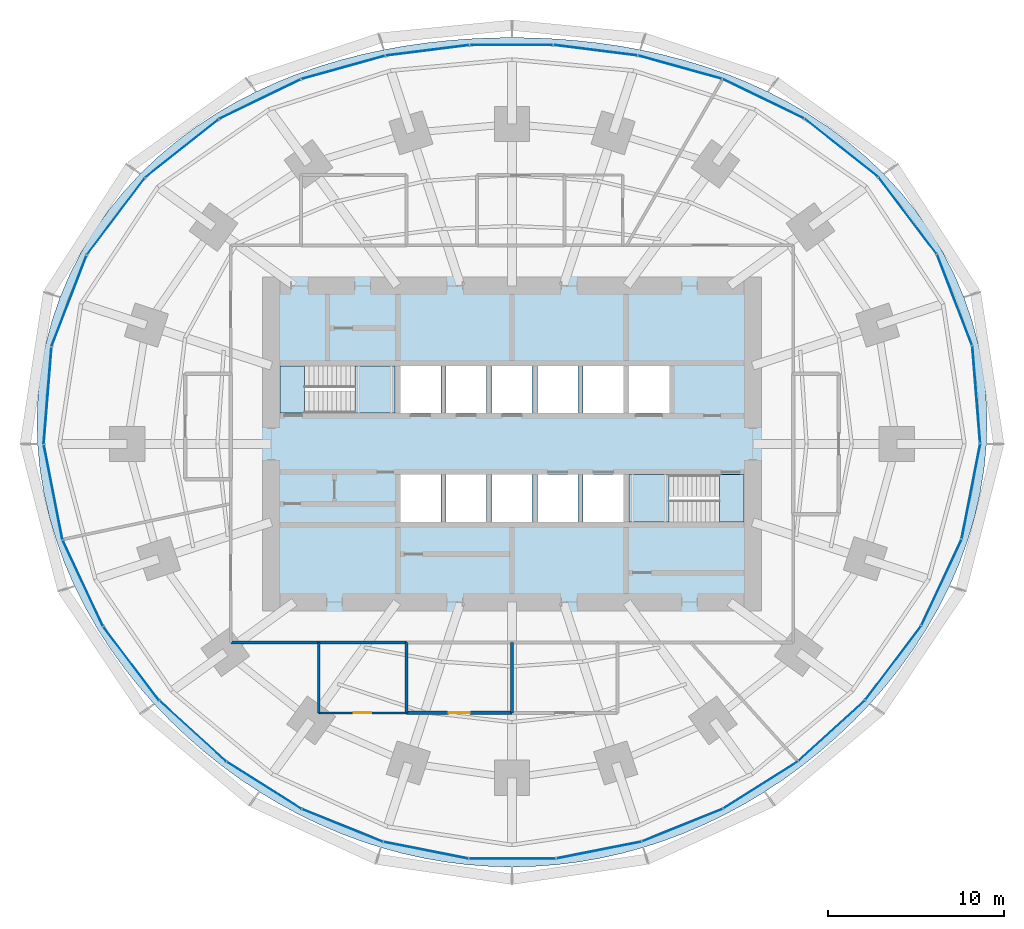
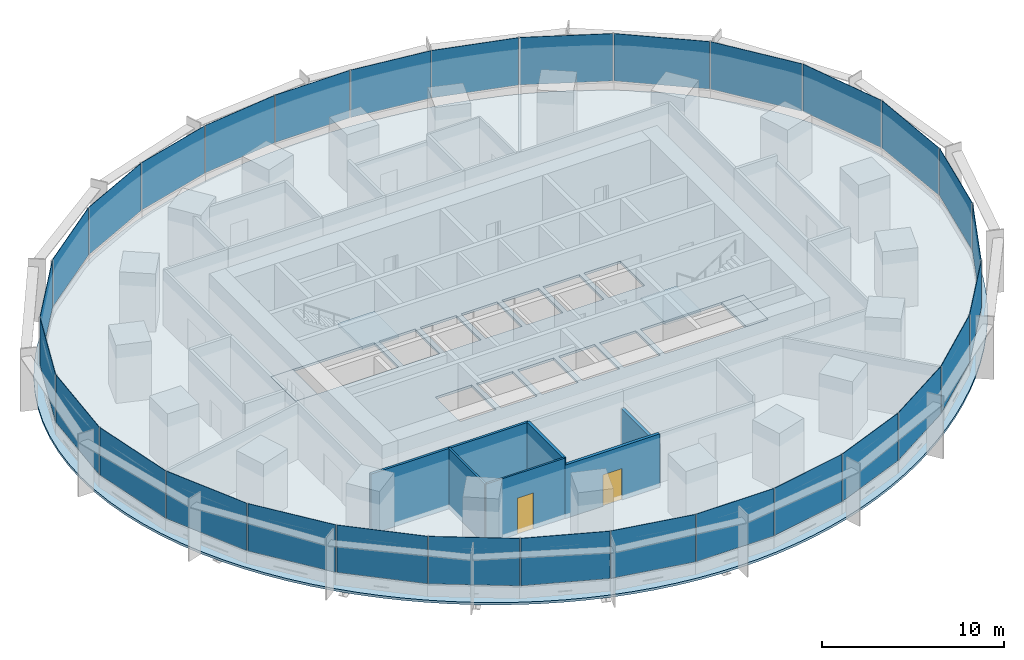
# One storey, part 10 of 15: 30 plates, 6 walls, 5 slabs, 2 doors, 2 openings, 8 elements without a shape of their own.
"""IFC4 building model written with IfcOpenShell, lengths in metres."""

from ifc_helpers import new_model, si_unit, direction, frame, frame_2d, origin, origin_2d, place, context, subcontext, project, spatial, polyline, rectangle, outline, extrude, material, layer, layer_set, type_object, element, fill, aggregate, save


model = new_model("IFC4")

# Units and contexts
model_context = context("Model", 3, precision=1e-05, world=origin(), true_north=direction((0.0, 1.0)))
body_context = subcontext(model_context, "Body", "Model", "MODEL_VIEW")
ifc_project = project(units=[si_unit("LENGTHUNIT", "METRE"), si_unit("AREAUNIT", "SQUARE_METRE"), si_unit("VOLUMEUNIT", "CUBIC_METRE"), si_unit("PLANEANGLEUNIT", "RADIAN"), si_unit("MASSUNIT", "GRAM", prefix="KILO")], contexts=[model_context])

# Site, building, storey
site_placement = place(None, origin())
site = spatial("IfcSite", under=ifc_project, at=site_placement, CompositionType="ELEMENT")
building_placement = place(site_placement, origin())
building = spatial("IfcBuilding", under=site, at=building_placement, Name="Marramba Exchange Tower", CompositionType="ELEMENT")
storey_placement = place(building_placement, frame((0.0, 0.0, 44.800048828125)))
storey = spatial("IfcBuildingStorey", under=building, at=storey_placement, Name="L10", CompositionType="ELEMENT", Elevation=44.800048828125)

# Slab
ifc_material_1 = material(Name="Concrete N40", Category="concrete")
ifc_layer_1 = layer(ifc_material_1, 0.159912109375)
ifc_layer_set_1 = layer_set([ifc_layer_1], Name="Composite floor slab 160")
slab_type_1 = type_object("IfcSlabType", Name="Composite floor slab 160", PredefinedType="FLOOR", material=ifc_layer_set_1)
slab_1_placement = place(storey_placement, frame((0.0, 0.0, -0.16015625)))
element("IfcSlab", 1, at=slab_1_placement, inside=storey, type_object=slab_type_1, Name="Floor slab L10", PredefinedType="FLOOR", context=body_context, shape_type="SweptSolid", body=[
    extrude(outline(polyline([(27.0, 0.0), (27.035888671875, 1.4169921875), (26.97265625, 2.8349609375), (26.80859375, 4.24609375), (26.5439453125, 5.64208984375), (26.179443359375, 7.0146484375), (25.717529296875, 8.356201171875), (25.16162109375, 9.65869140625), (24.516357421875, 10.915283203125), (23.786865234375, 12.1201171875), (22.9794921875, 13.267333984375), (22.10107421875, 14.3525390625), (21.158447265625, 15.37255859375), (20.159423828125, 16.32470703125), (19.11083984375, 17.20751953125), (18.020263671875, 18.020263671875), (16.89453125, 18.763427734375), (15.740478515625, 19.437744140625), (14.563720703125, 20.04541015625), (13.3701171875, 20.588134765625), (12.164306640625, 21.069091796875), (10.9501953125, 21.4912109375), (9.7314453125, 21.857421875), (8.5107421875, 22.1708984375), (7.289794921875, 22.435302734375), (6.06982421875, 22.6533203125), (4.85205078125, 22.827392578125), (3.636474609375, 22.96044921875), (2.423095703125, 23.053955078125), (1.211181640625, 23.109619140625), (0.0, 23.1279296875), (-1.211181640625, 23.109619140625), (-2.423095703125, 23.053955078125), (-3.636474609375, 22.96044921875), (-4.85205078125, 22.827392578125), (-6.06982421875, 22.6533203125), (-7.289794921875, 22.435302734375), (-8.5107421875, 22.1708984375), (-9.7314453125, 21.857421875), (-10.9501953125, 21.4912109375), (-12.164306640625, 21.069091796875), (-13.3701171875, 20.588134765625), (-14.563720703125, 20.04541015625), (-15.740478515625, 19.437744140625), (-16.89453125, 18.763427734375), (-18.020263671875, 18.020263671875), (-19.11083984375, 17.20751953125), (-20.159423828125, 16.32470703125), (-21.158447265625, 15.37255859375), (-22.10107421875, 14.3525390625), (-22.9794921875, 13.267333984375), (-23.786865234375, 12.1201171875), (-24.516357421875, 10.915283203125), (-25.16162109375, 9.65869140625), (-25.717529296875, 8.356201171875), (-26.179443359375, 7.0146484375), (-26.5439453125, 5.64208984375), (-26.80859375, 4.24609375), (-26.97265625, 2.8349609375), (-27.035888671875, 1.4169921875), (-27.0, 0.0), (-26.8671875, -1.407958984375), (-26.64111328125, -2.800048828125), (-26.326171875, -4.169677734375), (-25.927001953125, -5.510986328125), (-25.44921875, -6.819091796875), (-24.8984375, -8.090087890625), (-24.280517578125, -9.320556640625), (-23.60107421875, -10.5078125), (-22.865234375, -11.650390625), (-22.078369140625, -12.7470703125), (-21.244873046875, -13.796630859375), (-20.36865234375, -14.798583984375), (-19.453369140625, -15.753173828125), (-18.502197265625, -16.659423828125), (-17.517578125, -17.517578125), (-16.501953125, -18.327392578125), (-15.457275390625, -19.088134765625), (-14.385009765625, -19.799072265625), (-13.286865234375, -20.459716796875), (-12.164306640625, -21.069091796875), (-11.01904296875, -21.6259765625), (-9.8525390625, -22.129150390625), (-8.66650390625, -22.577392578125), (-7.463134765625, -22.968994140625), (-6.244140625, -23.30322265625), (-5.01171875, -23.578369140625), (-3.7685546875, -23.793701171875), (-2.51708984375, -23.947998046875), (-1.260009765625, -24.041015625), (0.0, -24.072021484375), (1.260009765625, -24.041015625), (2.51708984375, -23.947998046875), (3.7685546875, -23.793701171875), (5.01171875, -23.578369140625), (6.244140625, -23.30322265625), (7.463134765625, -22.968994140625), (8.66650390625, -22.577392578125), (9.8525390625, -22.129150390625), (11.01904296875, -21.6259765625), (12.164306640625, -21.069091796875), (13.286865234375, -20.459716796875), (14.385009765625, -19.799072265625), (15.457275390625, -19.088134765625), (16.501953125, -18.327392578125), (17.517578125, -17.517578125), (18.502197265625, -16.659423828125), (19.453369140625, -15.753173828125), (20.36865234375, -14.798583984375), (21.244873046875, -13.796630859375), (22.078369140625, -12.7470703125), (22.865234375, -11.650390625), (23.60107421875, -10.5078125), (24.280517578125, -9.320556640625), (24.8984375, -8.090087890625), (25.44921875, -6.819091796875), (25.927001953125, -5.510986328125), (26.326171875, -4.169677734375), (26.64111328125, -2.800048828125), (26.8671875, -1.407958984375), (27.0, 0.0)]), holes=[polyline([(-6.35009765625, 1.75), (-4.050048828125, 1.75), (-4.050048828125, 4.449951171875), (-6.35009765625, 4.449951171875), (-6.35009765625, 1.75)]), polyline([(-3.75, 1.75), (-1.449951171875, 1.75), (-1.449951171875, 4.449951171875), (-3.75, 4.449951171875), (-3.75, 1.75)]), polyline([(-1.14990234375, 1.75), (1.14990234375, 1.75), (1.14990234375, 4.449951171875), (-1.14990234375, 4.449951171875), (-1.14990234375, 1.75)]), polyline([(1.449951171875, 1.75), (3.75, 1.75), (3.75, 4.449951171875), (1.449951171875, 4.449951171875), (1.449951171875, 1.75)]), polyline([(4.050048828125, 1.75), (6.35009765625, 1.75), (6.35009765625, 4.449951171875), (4.050048828125, 4.449951171875), (4.050048828125, 1.75)]), polyline([(-6.35009765625, -4.449951171875), (-4.050048828125, -4.449951171875), (-4.050048828125, -1.75), (-6.35009765625, -1.75), (-6.35009765625, -4.449951171875)]), polyline([(-3.75, -4.449951171875), (-1.449951171875, -4.449951171875), (-1.449951171875, -1.75), (-3.75, -1.75), (-3.75, -4.449951171875)]), polyline([(-1.14990234375, -4.449951171875), (1.14990234375, -4.449951171875), (1.14990234375, -1.75), (-1.14990234375, -1.75), (-1.14990234375, -4.449951171875)]), polyline([(1.449951171875, -4.449951171875), (3.75, -4.449951171875), (3.75, -1.75), (1.449951171875, -1.75), (1.449951171875, -4.449951171875)]), polyline([(4.050048828125, -4.449951171875), (6.35009765625, -4.449951171875), (6.35009765625, -1.75), (4.050048828125, -1.75), (4.050048828125, -4.449951171875)]), polyline([(6.64990234375, 1.75), (8.949951171875, 1.75), (8.949951171875, 4.449951171875), (6.64990234375, 4.449951171875), (6.64990234375, 1.75)]), polyline([(-13.199951171875, 1.75), (-6.64990234375, 1.75), (-6.64990234375, 4.449951171875), (-13.199951171875, 4.449951171875), (-13.199951171875, 1.75)]), polyline([(6.64990234375, -4.449951171875), (13.199951171875, -4.449951171875), (13.199951171875, -1.75), (6.64990234375, -1.75), (6.64990234375, -4.449951171875)])]), origin(), (0.0, 0.0, 1.0), 0.16015625),
])

# Stair, slabs
ifc_material_2 = material(Name="Concrete N40 (40 MPa)", Category="concrete")
stair_type_1 = type_object("IfcStairType", Name="Exit stair ST1 4200 x 1250", PredefinedType="HALF_TURN_STAIR", material=ifc_material_2)
stair_1_placement = place(storey_placement, origin())
stair_1 = element("IfcStair", 2, at=stair_1_placement, inside=storey, type_object=stair_type_1, Name="Exit stair ST1 L10", PredefinedType="HALF_TURN_STAIR")
ifc_layer_2 = layer(ifc_material_2, 0.199951171875)
ifc_layer_set_2 = layer_set([ifc_layer_2], Name="Stair landing 200")
slab_type_2 = type_object("IfcSlabType", Name="Stair landing 200", PredefinedType="LANDING", material=ifc_layer_set_2)
slab_2_placement = place(storey_placement, frame((0.0, 0.0, -0.199951171875)))
slab_2 = element("IfcSlab", 3, at=slab_2_placement, type_object=slab_type_2, Name="ST1 landing 1", PredefinedType="LANDING", context=body_context, shape_type="SweptSolid", body=[
    extrude(outline(polyline([(-13.199951171875, 1.75), (-11.800048828125, 1.75), (-11.800048828125, 4.449951171875), (-13.199951171875, 4.449951171875), (-13.199951171875, 1.75)])), origin(), (0.0, 0.0, 1.0), 0.199951171875),
])
slab_3_placement = place(storey_placement, frame((0.0, 0.0, 1.89990234375)))
slab_3 = element("IfcSlab", 4, at=slab_3_placement, type_object=slab_type_2, Name="ST1 landing 2", PredefinedType="LANDING", context=body_context, shape_type="SweptSolid", body=[
    extrude(outline(polyline([(-8.93994140625, 1.75), (-6.64990234375, 1.75), (-6.64990234375, 4.449951171875), (-8.93994140625, 4.449951171875), (-8.93994140625, 1.75)])), origin(), (0.0, 0.0, 1.0), 0.199951171875),
])
aggregate(stair_1, [slab_2, slab_3])

stair_type_2 = type_object("IfcStairType", Name="Exit stair ST2 4200 x 1250", PredefinedType="HALF_TURN_STAIR", material=ifc_material_2)
stair_2_placement = place(storey_placement, origin())
stair_2 = element("IfcStair", 5, at=stair_2_placement, inside=storey, type_object=stair_type_2, Name="Exit stair ST2 L10", PredefinedType="HALF_TURN_STAIR")
slab_4_placement = place(storey_placement, frame((0.0, 0.0, -0.199951171875)))
slab_4 = element("IfcSlab", 6, at=slab_4_placement, type_object=slab_type_2, Name="ST2 landing 1", PredefinedType="LANDING", context=body_context, shape_type="SweptSolid", body=[
    extrude(outline(polyline([(11.800048828125, -4.449951171875), (13.199951171875, -4.449951171875), (13.199951171875, -1.75), (11.800048828125, -1.75), (11.800048828125, -4.449951171875)])), origin(), (0.0, 0.0, 1.0), 0.199951171875),
])
slab_5_placement = place(storey_placement, frame((0.0, 0.0, 1.89990234375)))
slab_5 = element("IfcSlab", 7, at=slab_5_placement, type_object=slab_type_2, Name="ST2 landing 2", PredefinedType="LANDING", context=body_context, shape_type="SweptSolid", body=[
    extrude(outline(polyline([(6.64990234375, -4.449951171875), (8.93994140625, -4.449951171875), (8.93994140625, -1.75), (6.64990234375, -1.75), (6.64990234375, -4.449951171875)])), origin(), (0.0, 0.0, 1.0), 0.199951171875),
])
aggregate(stair_2, [slab_4, slab_5])

# Curtain wall, plates
ifc_material_3 = material(Name="Aluminium framing, bronze anodised", Category="aluminium")
curtain_wall_type = type_object("IfcCurtainWallType", Name="Trading floor ribbon curtain wall", PredefinedType="USERDEFINED", material=ifc_material_3)
curtain_wall_1_placement = place(storey_placement, origin())
curtain_wall_1 = element("IfcCurtainWall", 8, at=curtain_wall_1_placement, inside=storey, type_object=curtain_wall_type, Name="Curtain wall CW3 L10 F01-F05", ObjectType="RIBBON CURTAIN WALL", PredefinedType="USERDEFINED")
ifc_material_4 = material(Name="Double glazed unit 10 + 12 + 8.76, bronze tinted", Category="glass")
ifc_layer_3 = layer(ifc_material_4, 0.03076171875)
ifc_layer_set_3 = layer_set([ifc_layer_3], Name="Trading floor ribbon curtain wall panel")
plate_type = type_object("IfcPlateType", Name="Trading floor ribbon curtain wall panel", PredefinedType="CURTAIN_PANEL", material=ifc_layer_set_3)
plate_1_placement = place(storey_placement, frame((26.42333984375, 2.814453125, 0.85986328125), z_axis=(0.0, 0.0, 1.0), x_axis=(-0.080275225953, 0.996772736434, 0.0)))
plate_1 = element("IfcPlate", 9, at=plate_1_placement, type_object=plate_type, Name="CW3 vision panel", PredefinedType="CURTAIN_PANEL", context=body_context, shape_type="SweptSolid", body=[
    extrude(rectangle(XDim=5.52734375, YDim=0.03076171875, at=origin_2d()), origin(), (0.0, 0.0, 1.0), 3.179931640625),
])
plate_2_placement = place(storey_placement, frame((25.188232421875, 8.19921875, 0.85986328125), z_axis=(0.0, 0.0, 1.0), x_axis=(-0.359525510698, 0.933135256626, 0.0)))
plate_2 = element("IfcPlate", 10, at=plate_2_placement, type_object=plate_type, Name="CW3 vision panel", PredefinedType="CURTAIN_PANEL", context=body_context, shape_type="SweptSolid", body=[
    extrude(rectangle(XDim=5.5166015625, YDim=0.03076171875, at=origin_2d()), origin(), (0.0, 0.0, 1.0), 3.179931640625),
])
plate_3_placement = place(storey_placement, frame((22.517822265625, 12.993896484375, 0.85986328125), z_axis=(0.0, 0.0, 1.0), x_axis=(-0.602989765036, 0.797748922445, 0.0)))
plate_3 = element("IfcPlate", 11, at=plate_3_placement, type_object=plate_type, Name="CW3 vision panel", PredefinedType="CURTAIN_PANEL", context=body_context, shape_type="SweptSolid", body=[
    extrude(rectangle(XDim=5.44775390625, YDim=0.03076171875, at=origin_2d()), origin(), (0.0, 0.0, 1.0), 3.179931640625),
])
plate_4_placement = place(storey_placement, frame((18.744384765625, 16.853759765625, 0.85986328125), z_axis=(0.0, 0.0, 1.0), x_axis=(-0.784087949432, 0.620649730166, 0.0)))
plate_4 = element("IfcPlate", 12, at=plate_4_placement, type_object=plate_type, Name="CW3 vision panel", PredefinedType="CURTAIN_PANEL", context=body_context, shape_type="SweptSolid", body=[
    extrude(rectangle(XDim=5.315673828125, YDim=0.03076171875, at=origin_2d()), origin(), (0.0, 0.0, 1.0), 3.179931640625),
])
plate_5_placement = place(storey_placement, frame((14.2978515625, 19.647705078125, 0.85986328125), z_axis=(0.0, 0.0, 1.0), x_axis=(-0.899963433508, 0.43596538664, 0.0)))
plate_5 = element("IfcPlate", 13, at=plate_5_placement, type_object=plate_type, Name="CW3 vision panel", PredefinedType="CURTAIN_PANEL", context=body_context, shape_type="SweptSolid", body=[
    extrude(rectangle(XDim=5.13037109375, YDim=0.03076171875, at=origin_2d()), origin(), (0.0, 0.0, 1.0), 3.179931640625),
])
aggregate(curtain_wall_1, [plate_1, plate_2, plate_3, plate_4, plate_5])

curtain_wall_2_placement = place(storey_placement, origin())
curtain_wall_2 = element("IfcCurtainWall", 14, at=curtain_wall_2_placement, inside=storey, type_object=curtain_wall_type, Name="Curtain wall CW3 L10 F06-F10", ObjectType="RIBBON CURTAIN WALL", PredefinedType="USERDEFINED")
plate_6_placement = place(storey_placement, frame((9.556396484375, 21.4423828125, 0.85986328125), z_axis=(0.0, 0.0, 1.0), x_axis=(-0.963472096649, 0.267808735815, 0.0)))
plate_6 = element("IfcPlate", 15, at=plate_6_placement, type_object=plate_type, Name="CW3 vision panel", PredefinedType="CURTAIN_PANEL", context=body_context, shape_type="SweptSolid", body=[
    extrude(rectangle(XDim=4.929931640625, YDim=0.03076171875, at=origin_2d()), origin(), (0.0, 0.0, 1.0), 3.179931640625),
])
plate_7_placement = place(storey_placement, frame((4.754150390625, 22.407958984375, 0.85986328125), z_axis=(0.0, 0.0, 1.0), x_axis=(-0.992172768738, 0.124872723099, 0.0)))
plate_7 = element("IfcPlate", 16, at=plate_7_placement, type_object=plate_type, Name="CW3 vision panel", PredefinedType="CURTAIN_PANEL", context=body_context, shape_type="SweptSolid", body=[
    extrude(rectangle(XDim=4.77294921875, YDim=0.03076171875, at=origin_2d()), origin(), (0.0, 0.0, 1.0), 3.179931640625),
])
plate_8_placement = place(storey_placement, frame((-0.030029296875, 22.7060546875, 0.85986328125), z_axis=(0.0, 0.0, 1.0), x_axis=(-1.0, 0.0, 0.0)))
plate_8 = element("IfcPlate", 17, at=plate_8_placement, type_object=plate_type, Name="CW3 vision panel", PredefinedType="CURTAIN_PANEL", context=body_context, shape_type="SweptSolid", body=[
    extrude(rectangle(XDim=4.712890625, YDim=0.03076171875, at=origin_2d()), origin(), (0.0, 0.0, 1.0), 3.179931640625),
])
plate_9_placement = place(storey_placement, frame((-4.813720703125, 22.400390625, 0.85986328125), z_axis=(0.0, 0.0, 1.0), x_axis=(-0.992172768738, -0.124872723099, 0.0)))
plate_9 = element("IfcPlate", 18, at=plate_9_placement, type_object=plate_type, Name="CW3 vision panel", PredefinedType="CURTAIN_PANEL", context=body_context, shape_type="SweptSolid", body=[
    extrude(rectangle(XDim=4.77294921875, YDim=0.03076171875, at=origin_2d()), origin(), (0.0, 0.0, 1.0), 3.179931640625),
])
plate_10_placement = place(storey_placement, frame((-9.6142578125, 21.42626953125, 0.85986328125), z_axis=(0.0, 0.0, 1.0), x_axis=(-0.963472096649, -0.267808735815, 0.0)))
plate_10 = element("IfcPlate", 19, at=plate_10_placement, type_object=plate_type, Name="CW3 vision panel", PredefinedType="CURTAIN_PANEL", context=body_context, shape_type="SweptSolid", body=[
    extrude(rectangle(XDim=4.929931640625, YDim=0.03076171875, at=origin_2d()), origin(), (0.0, 0.0, 1.0), 3.179931640625),
])
aggregate(curtain_wall_2, [plate_6, plate_7, plate_8, plate_9, plate_10])

curtain_wall_3_placement = place(storey_placement, origin())
curtain_wall_3 = element("IfcCurtainWall", 20, at=curtain_wall_3_placement, inside=storey, type_object=curtain_wall_type, Name="Curtain wall CW3 L10 F11-F15", ObjectType="RIBBON CURTAIN WALL", PredefinedType="USERDEFINED")
plate_11_placement = place(storey_placement, frame((-14.351806640625, 19.62158203125, 0.85986328125), z_axis=(0.0, 0.0, 1.0), x_axis=(-0.899963433508, -0.43596538664, 0.0)))
plate_11 = element("IfcPlate", 21, at=plate_11_placement, type_object=plate_type, Name="CW3 vision panel", PredefinedType="CURTAIN_PANEL", context=body_context, shape_type="SweptSolid", body=[
    extrude(rectangle(XDim=5.13037109375, YDim=0.03076171875, at=origin_2d()), origin(), (0.0, 0.0, 1.0), 3.179931640625),
])
plate_12_placement = place(storey_placement, frame((-18.79150390625, 16.81640625, 0.85986328125), z_axis=(0.0, 0.0, 1.0), x_axis=(-0.784087949432, -0.620649730166, 0.0)))
plate_12 = element("IfcPlate", 22, at=plate_12_placement, type_object=plate_type, Name="CW3 vision panel", PredefinedType="CURTAIN_PANEL", context=body_context, shape_type="SweptSolid", body=[
    extrude(rectangle(XDim=5.315673828125, YDim=0.03076171875, at=origin_2d()), origin(), (0.0, 0.0, 1.0), 3.179931640625),
])
plate_13_placement = place(storey_placement, frame((-22.553955078125, 12.946044921875, 0.85986328125), z_axis=(0.0, 0.0, 1.0), x_axis=(-0.602989765036, -0.797748922445, 0.0)))
plate_13 = element("IfcPlate", 23, at=plate_13_placement, type_object=plate_type, Name="CW3 vision panel", PredefinedType="CURTAIN_PANEL", context=body_context, shape_type="SweptSolid", body=[
    extrude(rectangle(XDim=5.44775390625, YDim=0.03076171875, at=origin_2d()), origin(), (0.0, 0.0, 1.0), 3.179931640625),
])
plate_14_placement = place(storey_placement, frame((-25.209716796875, 8.14306640625, 0.85986328125), z_axis=(0.0, 0.0, 1.0), x_axis=(-0.359525510698, -0.933135256626, 0.0)))
plate_14 = element("IfcPlate", 24, at=plate_14_placement, type_object=plate_type, Name="CW3 vision panel", PredefinedType="CURTAIN_PANEL", context=body_context, shape_type="SweptSolid", body=[
    extrude(rectangle(XDim=5.5166015625, YDim=0.03076171875, at=origin_2d()), origin(), (0.0, 0.0, 1.0), 3.179931640625),
])
plate_15_placement = place(storey_placement, frame((-26.42822265625, 2.754638671875, 0.85986328125), z_axis=(0.0, 0.0, 1.0), x_axis=(-0.080275225953, -0.996772736434, 0.0)))
plate_15 = element("IfcPlate", 25, at=plate_15_placement, type_object=plate_type, Name="CW3 vision panel", PredefinedType="CURTAIN_PANEL", context=body_context, shape_type="SweptSolid", body=[
    extrude(rectangle(XDim=5.52734375, YDim=0.03076171875, at=origin_2d()), origin(), (0.0, 0.0, 1.0), 3.179931640625),
])
aggregate(curtain_wall_3, [plate_11, plate_12, plate_13, plate_14, plate_15])

curtain_wall_4_placement = place(storey_placement, origin())
curtain_wall_4 = element("IfcCurtainWall", 26, at=curtain_wall_4_placement, inside=storey, type_object=curtain_wall_type, Name="Curtain wall CW3 L10 F16-F20", ObjectType="RIBBON CURTAIN WALL", PredefinedType="USERDEFINED")
plate_16_placement = place(storey_placement, frame((-26.111572265625, -2.74853515625, 0.85986328125), z_axis=(0.0, 0.0, 1.0), x_axis=(0.1922485756, -0.981346261612, 0.0)))
plate_16 = element("IfcPlate", 27, at=plate_16_placement, type_object=plate_type, Name="CW3 vision panel", PredefinedType="CURTAIN_PANEL", context=body_context, shape_type="SweptSolid", body=[
    extrude(rectangle(XDim=5.4814453125, YDim=0.03076171875, at=origin_2d()), origin(), (0.0, 0.0, 1.0), 3.179931640625),
])
plate_17_placement = place(storey_placement, frame((-24.420166015625, -7.928955078125, 0.85986328125), z_axis=(0.0, 0.0, 1.0), x_axis=(0.423477206492, -0.905906758768, 0.0)))
plate_17 = element("IfcPlate", 28, at=plate_17_placement, type_object=plate_type, Name="CW3 vision panel", PredefinedType="CURTAIN_PANEL", context=body_context, shape_type="SweptSolid", body=[
    extrude(rectangle(XDim=5.379150390625, YDim=0.03076171875, at=origin_2d()), origin(), (0.0, 0.0, 1.0), 3.179931640625),
])
plate_18_placement = place(storey_placement, frame((-21.665283203125, -12.503173828125, 0.85986328125), z_axis=(0.0, 0.0, 1.0), x_axis=(0.603040473588, -0.797710591138, 0.0)))
plate_18 = element("IfcPlate", 29, at=plate_18_placement, type_object=plate_type, Name="CW3 vision panel", PredefinedType="CURTAIN_PANEL", context=body_context, shape_type="SweptSolid", body=[
    extrude(rectangle(XDim=5.239501953125, YDim=0.03076171875, at=origin_2d()), origin(), (0.0, 0.0, 1.0), 3.179931640625),
])
plate_19_placement = place(storey_placement, frame((-18.154541015625, -16.350341796875, 0.85986328125), z_axis=(0.0, 0.0, 1.0), x_axis=(0.739589581463, -0.673058133441, 0.0)))
plate_19 = element("IfcPlate", 30, at=plate_19_placement, type_object=plate_type, Name="CW3 vision panel", PredefinedType="CURTAIN_PANEL", context=body_context, shape_type="SweptSolid", body=[
    extrude(rectangle(XDim=5.101806640625, YDim=0.03076171875, at=origin_2d()), origin(), (0.0, 0.0, 1.0), 3.179931640625),
])
plate_20_placement = place(storey_placement, frame((-14.103271484375, -19.4326171875, 0.85986328125), z_axis=(0.0, 0.0, 1.0), x_axis=(0.845790826298, -0.533514646612, 0.0)))
plate_20 = element("IfcPlate", 31, at=plate_20_placement, type_object=plate_type, Name="CW3 vision panel", PredefinedType="CURTAIN_PANEL", context=body_context, shape_type="SweptSolid", body=[
    extrude(rectangle(XDim=4.99853515625, YDim=0.03076171875, at=origin_2d()), origin(), (0.0, 0.0, 1.0), 3.179931640625),
])
aggregate(curtain_wall_4, [plate_16, plate_17, plate_18, plate_19, plate_20])

curtain_wall_5_placement = place(storey_placement, origin())
curtain_wall_5 = element("IfcCurtainWall", 32, at=curtain_wall_5_placement, inside=storey, type_object=curtain_wall_type, Name="Curtain wall CW3 L10 F21-F25", ObjectType="RIBBON CURTAIN WALL", PredefinedType="USERDEFINED")
plate_21_placement = place(storey_placement, frame((-9.644287109375, -21.71240234375, 0.85986328125), z_axis=(0.0, 0.0, 1.0), x_axis=(0.927340673283, -0.374218219325, 0.0)))
plate_21 = element("IfcPlate", 33, at=plate_21_placement, type_object=plate_type, Name="CW3 vision panel", PredefinedType="CURTAIN_PANEL", context=body_context, shape_type="SweptSolid", body=[
    extrude(rectangle(XDim=4.9375, YDim=0.03076171875, at=origin_2d()), origin(), (0.0, 0.0, 1.0), 3.179931640625),
])
plate_22_placement = place(storey_placement, frame((-4.88818359375, -23.1240234375, 0.85986328125), z_axis=(0.0, 0.0, 1.0), x_axis=(0.98100920064, -0.193961202977, 0.0)))
plate_22 = element("IfcPlate", 34, at=plate_22_placement, type_object=plate_type, Name="CW3 vision panel", PredefinedType="CURTAIN_PANEL", context=body_context, shape_type="SweptSolid", body=[
    extrude(rectangle(XDim=4.908935546875, YDim=0.03076171875, at=origin_2d()), origin(), (0.0, 0.0, 1.0), 3.179931640625),
])
plate_23_placement = place(storey_placement, frame((0.030029296875, -23.599853515625, 0.85986328125), z_axis=(0.0, 0.0, 1.0), x_axis=(1.0, 0.0, 0.0)))
plate_23 = element("IfcPlate", 35, at=plate_23_placement, type_object=plate_type, Name="CW3 vision panel", PredefinedType="CURTAIN_PANEL", context=body_context, shape_type="SweptSolid", body=[
    extrude(rectangle(XDim=4.90087890625, YDim=0.03076171875, at=origin_2d()), origin(), (0.0, 0.0, 1.0), 3.179931640625),
])
plate_24_placement = place(storey_placement, frame((4.947021484375, -23.1123046875, 0.85986328125), z_axis=(0.0, 0.0, 1.0), x_axis=(0.98100920064, 0.193961202977, 0.0)))
plate_24 = element("IfcPlate", 36, at=plate_24_placement, type_object=plate_type, Name="CW3 vision panel", PredefinedType="CURTAIN_PANEL", context=body_context, shape_type="SweptSolid", body=[
    extrude(rectangle(XDim=4.908935546875, YDim=0.03076171875, at=origin_2d()), origin(), (0.0, 0.0, 1.0), 3.179931640625),
])
plate_25_placement = place(storey_placement, frame((9.699951171875, -21.68994140625, 0.85986328125), z_axis=(0.0, 0.0, 1.0), x_axis=(0.927340673283, 0.374218219325, 0.0)))
plate_25 = element("IfcPlate", 37, at=plate_25_placement, type_object=plate_type, Name="CW3 vision panel", PredefinedType="CURTAIN_PANEL", context=body_context, shape_type="SweptSolid", body=[
    extrude(rectangle(XDim=4.9375, YDim=0.03076171875, at=origin_2d()), origin(), (0.0, 0.0, 1.0), 3.179931640625),
])
aggregate(curtain_wall_5, [plate_21, plate_22, plate_23, plate_24, plate_25])

curtain_wall_6_placement = place(storey_placement, origin())
curtain_wall_6 = element("IfcCurtainWall", 38, at=curtain_wall_6_placement, inside=storey, type_object=curtain_wall_type, Name="Curtain wall CW3 L10 F26-F30", ObjectType="RIBBON CURTAIN WALL", PredefinedType="USERDEFINED")
plate_26_placement = place(storey_placement, frame((14.15380859375, -19.400634765625, 0.85986328125), z_axis=(0.0, 0.0, 1.0), x_axis=(0.845790826298, 0.533514646612, 0.0)))
plate_26 = element("IfcPlate", 39, at=plate_26_placement, type_object=plate_type, Name="CW3 vision panel", PredefinedType="CURTAIN_PANEL", context=body_context, shape_type="SweptSolid", body=[
    extrude(rectangle(XDim=4.99853515625, YDim=0.03076171875, at=origin_2d()), origin(), (0.0, 0.0, 1.0), 3.179931640625),
])
plate_27_placement = place(storey_placement, frame((18.19873046875, -16.309814453125, 0.85986328125), z_axis=(0.0, 0.0, 1.0), x_axis=(0.739589581463, 0.673058133441, 0.0)))
plate_27 = element("IfcPlate", 40, at=plate_27_placement, type_object=plate_type, Name="CW3 vision panel", PredefinedType="CURTAIN_PANEL", context=body_context, shape_type="SweptSolid", body=[
    extrude(rectangle(XDim=5.101806640625, YDim=0.03076171875, at=origin_2d()), origin(), (0.0, 0.0, 1.0), 3.179931640625),
])
plate_28_placement = place(storey_placement, frame((21.701416015625, -12.455322265625, 0.85986328125), z_axis=(0.0, 0.0, 1.0), x_axis=(0.603040473588, 0.797710591138, 0.0)))
plate_28 = element("IfcPlate", 41, at=plate_28_placement, type_object=plate_type, Name="CW3 vision panel", PredefinedType="CURTAIN_PANEL", context=body_context, shape_type="SweptSolid", body=[
    extrude(rectangle(XDim=5.239501953125, YDim=0.03076171875, at=origin_2d()), origin(), (0.0, 0.0, 1.0), 3.179931640625),
])
plate_29_placement = place(storey_placement, frame((24.44580078125, -7.874755859375, 0.85986328125), z_axis=(0.0, 0.0, 1.0), x_axis=(0.423477206492, 0.905906758768, 0.0)))
plate_29 = element("IfcPlate", 42, at=plate_29_placement, type_object=plate_type, Name="CW3 vision panel", PredefinedType="CURTAIN_PANEL", context=body_context, shape_type="SweptSolid", body=[
    extrude(rectangle(XDim=5.379150390625, YDim=0.03076171875, at=origin_2d()), origin(), (0.0, 0.0, 1.0), 3.179931640625),
])
plate_30_placement = place(storey_placement, frame((26.123046875, -2.689697265625, 0.85986328125), z_axis=(0.0, 0.0, 1.0), x_axis=(0.1922485756, 0.981346261612, 0.0)))
plate_30 = element("IfcPlate", 43, at=plate_30_placement, type_object=plate_type, Name="CW3 vision panel", PredefinedType="CURTAIN_PANEL", context=body_context, shape_type="SweptSolid", body=[
    extrude(rectangle(XDim=5.4814453125, YDim=0.03076171875, at=origin_2d()), origin(), (0.0, 0.0, 1.0), 3.179931640625),
])
aggregate(curtain_wall_6, [plate_26, plate_27, plate_28, plate_29, plate_30])

# Wall
ifc_material_5 = material(Name="Core-filled concrete blockwork, rendered", Category="masonry")
ifc_layer_4 = layer(ifc_material_5, 0.18994140625)
ifc_layer_set_4 = layer_set([ifc_layer_4], Name="Equipment room wall 190")
wall_type_1 = type_object("IfcWallType", Name="Equipment room wall 190", PredefinedType="SOLIDWALL", material=ifc_layer_set_4)
wall_1_placement = place(storey_placement, frame((-6.0, -15.300048828125, 0.0), z_axis=(0.0, 0.0, 1.0), x_axis=(0.0, 1.0, 0.0)))
element("IfcWall", 44, at=wall_1_placement, inside=storey, type_object=wall_type_1, Name="Equipment room wall L10 07", PredefinedType="SOLIDWALL", context=body_context, shape_type="SweptSolid", body=[
    extrude(rectangle(XDim=4.0, YDim=0.18994140625, at=frame_2d((2.0, 0.0))), origin(), (0.0, 0.0, 1.0), 4.0400390625),
])

# Wall, opening, door
wall_2_placement = place(storey_placement, frame((-6.0, -15.300048828125, 0.0), z_axis=(0.0, 0.0, 1.0), x_axis=(1.0, 0.0, 0.0)))
wall_2 = element("IfcWall", 45, at=wall_2_placement, inside=storey, type_object=wall_type_1, Name="Equipment room wall L10 09", PredefinedType="SOLIDWALL", context=body_context, shape_type="SweptSolid", body=[
    extrude(rectangle(XDim=6.0, YDim=0.18994140625, at=frame_2d((3.0, 0.0))), origin(), (0.0, 0.0, 1.0), 3.5859375),
])
opening_1_placement = place(wall_2_placement, frame((2.39990234375, 0.0, 0.0)))
opening_1 = element("IfcOpeningElement", 46, at=opening_1_placement, cuts=wall_2, Name="Opening D16", PredefinedType="OPENING", context=body_context, shape_type="SweptSolid", body=[
    extrude(rectangle(XDim=1.199951171875, YDim=2.10009765625, at=frame_2d((0.60009765625, 1.050048828125))), frame((0.0, 0.10498046875, 0.0), z_axis=(0.0, -1.0, 0.0), x_axis=(1.0, 0.0, 0.0)), (0.0, 0.0, 1.0), 0.2099609375),
])
ifc_material_6 = material(Name="Steel-framed door", Category="steel")
door_type_1 = type_object("IfcDoorType", Name="Equipment room door 1200x2100", OperationType="SINGLE_SWING_LEFT", PredefinedType="DOOR", material=ifc_material_6)
door_1_placement = place(opening_1_placement, origin())
door_1 = element("IfcDoor", 47, at=door_1_placement, inside=storey, type_object=door_type_1, Name="D16 Data Room 3 L10", OperationType="SINGLE_SWING_RIGHT", OverallHeight=2.10009765625, OverallWidth=1.199951171875, PredefinedType="DOOR", context=body_context, shape_type="SweptSolid", body=[
    extrude(rectangle(XDim=1.199951171875, YDim=2.10009765625, at=frame_2d((0.60009765625, 1.050048828125))), frame((0.0, 0.02490234375, 0.0), z_axis=(0.0, -1.0, 0.0), x_axis=(1.0, 0.0, 0.0)), (0.0, 0.0, 1.0), 0.050048828125),
])
fill(opening_1, door_1)

# Walls
wall_3_placement = place(storey_placement, frame((0.0, -11.300048828125, 0.0), z_axis=(0.0, 0.0, 1.0), x_axis=(0.0, -1.0, 0.0)))
element("IfcWall", 48, at=wall_3_placement, inside=storey, type_object=wall_type_1, Name="Equipment room wall L10 10", PredefinedType="SOLIDWALL", context=body_context, shape_type="SweptSolid", body=[
    extrude(rectangle(XDim=4.0, YDim=0.18994140625, at=frame_2d((2.0, 0.0))), origin(), (0.0, 0.0, 1.0), 2.83984375),
])
ifc_material_7 = material(Name="Plasterboard on steel studs", Category="steel")
ifc_layer_5 = layer(ifc_material_7, 0.1201171875)
ifc_layer_set_5 = layer_set([ifc_layer_5], Name="Partition 120")
wall_type_2 = type_object("IfcWallType", Name="Partition 120", PredefinedType="PARTITIONING", material=ifc_layer_set_5)
wall_4_placement = place(storey_placement, frame((-11.0, -11.300048828125, 0.0), z_axis=(0.0, 0.0, 1.0), x_axis=(0.0, -1.0, 0.0)))
element("IfcWall", 49, at=wall_4_placement, inside=storey, type_object=wall_type_2, Name="Partition L10 05", PredefinedType="PARTITIONING", context=body_context, shape_type="SweptSolid", body=[
    extrude(rectangle(XDim=4.0, YDim=0.1201171875, at=frame_2d((2.0, 0.0))), origin(), (0.0, 0.0, 1.0), 4.0400390625),
])

# Wall, opening, door
wall_5_placement = place(storey_placement, frame((-11.0, -15.300048828125, 0.0), z_axis=(0.0, 0.0, 1.0), x_axis=(1.0, 0.0, 0.0)))
wall_5 = element("IfcWall", 50, at=wall_5_placement, inside=storey, type_object=wall_type_2, Name="Partition L10 06", PredefinedType="PARTITIONING", context=body_context, shape_type="SweptSolid", body=[
    extrude(rectangle(XDim=5.0, YDim=0.1201171875, at=frame_2d((2.5, 0.0))), origin(), (0.0, 0.0, 1.0), 4.0400390625),
])
opening_2_placement = place(wall_5_placement, frame((2.0, 0.0, 0.0)))
opening_2 = element("IfcOpeningElement", 51, at=opening_2_placement, cuts=wall_5, Name="Opening D9", PredefinedType="OPENING", context=body_context, shape_type="SweptSolid", body=[
    extrude(rectangle(XDim=1.0, YDim=2.39990234375, at=frame_2d((0.5, 1.199951171875))), frame((0.0, 0.070068359375, 0.0), z_axis=(0.0, -1.0, 0.0), x_axis=(1.0, 0.0, 0.0)), (0.0, 0.0, 1.0), 0.14013671875),
])
ifc_material_8 = material(Name="Timber door", Category="wood")
door_type_2 = type_object("IfcDoorType", Name="Room door 1000x2400", OperationType="SINGLE_SWING_LEFT", PredefinedType="DOOR", material=ifc_material_8)
door_2_placement = place(opening_2_placement, origin())
door_2 = element("IfcDoor", 52, at=door_2_placement, inside=storey, type_object=door_type_2, Name="D9 Pantry 2 L10", OperationType="SINGLE_SWING_RIGHT", OverallHeight=2.39990234375, OverallWidth=1.0, PredefinedType="DOOR", context=body_context, shape_type="SweptSolid", body=[
    extrude(rectangle(XDim=1.0, YDim=2.39990234375, at=frame_2d((0.5, 1.199951171875))), frame((0.0, 0.02490234375, 0.0), z_axis=(0.0, -1.0, 0.0), x_axis=(1.0, 0.0, 0.0)), (0.0, 0.0, 1.0), 0.050048828125),
])
fill(opening_2, door_2)

# Wall
ifc_material_9 = material(Name="Fire-rated plasterboard on steel studs, acoustic insulation", Category="steel")
ifc_layer_6 = layer(ifc_material_9, 0.14990234375)
ifc_layer_set_6 = layer_set([ifc_layer_6], Name="Tenancy wall 150")
wall_type_3 = type_object("IfcWallType", Name="Tenancy wall 150", PredefinedType="PARTITIONING", material=ifc_layer_set_6)
wall_6_placement = place(storey_placement, frame((-16.0, -11.300048828125, 0.0), z_axis=(0.0, 0.0, 1.0), x_axis=(1.0, 0.0, 0.0)))
element("IfcWall", 53, at=wall_6_placement, inside=storey, type_object=wall_type_3, Name="Tenancy wall L10 04", PredefinedType="PARTITIONING", context=body_context, shape_type="SweptSolid", body=[
    extrude(rectangle(XDim=10.0, YDim=0.14990234375, at=frame_2d((5.0, 0.0))), origin(), (0.0, 0.0, 1.0), 4.0400390625),
])

save(model, "model.ifc")
